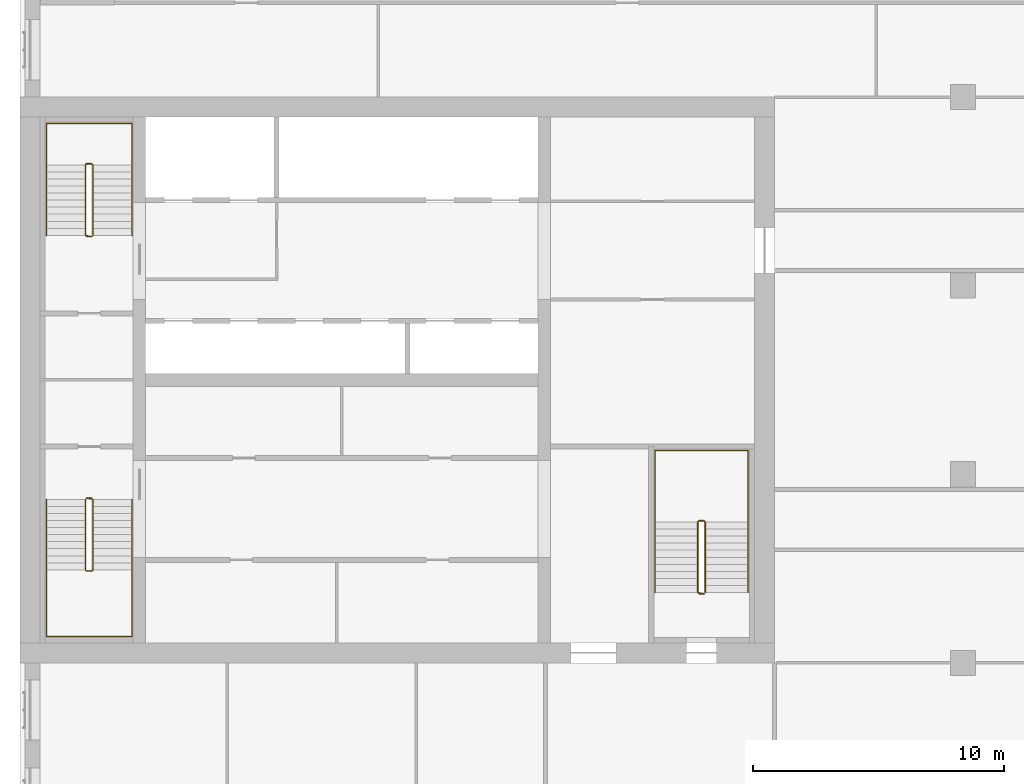
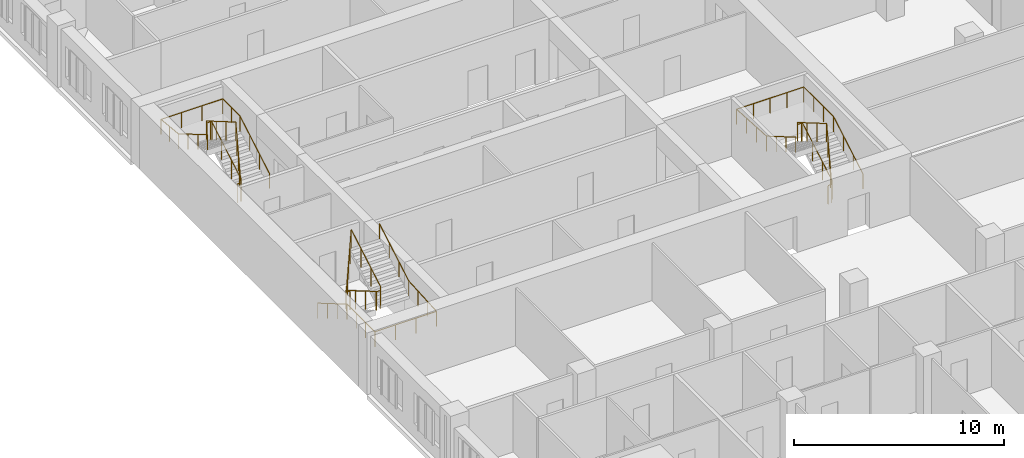
# One storey, part 13 of 13: 6 railings.
"""IFC4 building model written with IfcOpenShell, lengths in metres."""

from ifc_helpers import new_model, si_unit, direction, frame, origin, origin_2d, place, context, subcontext, project, spatial, circle, extrude, material, type_object, element, save


model = new_model("IFC4")

# Units and contexts
model_context = context("Model", 3, precision=1e-05, world=origin(), true_north=direction((0.0, 1.0)))
body_context = subcontext(model_context, "Body", "Model", "MODEL_VIEW")
ifc_project = project(units=[si_unit("LENGTHUNIT", "METRE"), si_unit("AREAUNIT", "SQUARE_METRE"), si_unit("VOLUMEUNIT", "CUBIC_METRE"), si_unit("PLANEANGLEUNIT", "RADIAN"), si_unit("MASSUNIT", "GRAM", prefix="KILO")], contexts=[model_context])

# Site, building, storey
site_placement = place(None, origin())
site = spatial("IfcSite", under=ifc_project, at=site_placement, CompositionType="ELEMENT")
building_placement = place(site_placement, origin())
building = spatial("IfcBuilding", under=site, at=building_placement, Name="Tamorin Gate", CompositionType="ELEMENT")
storey_placement = place(building_placement, frame((0.0, 0.0, 144.60009765625)))
storey = spatial("IfcBuildingStorey", under=building, at=storey_placement, Name="L35", CompositionType="ELEMENT", Elevation=144.60009765625)

# Railings
ifc_material_1 = material(Name="Painted steel balustrade", Category="steel")
railing_type_1 = type_object("IfcRailingType", Name="Stair guard 1100", PredefinedType="GUARDRAIL", material=ifc_material_1)
railing_1_placement = place(storey_placement, frame((32.60009765625, 66.5, 0.16357421875)))
element("IfcRailing", 1, at=railing_1_placement, inside=storey, type_object=railing_type_1, Name="L35 ST1 stair guard 1", PredefinedType="GUARDRAIL", context=body_context, shape_type="SweptSolid", body=[
    extrude(circle(Radius=0.02392578125, at=origin_2d()), frame((0.0, 0.0, 1.076171875), z_axis=(0.0, -0.863393664356, 0.504530851732), x_axis=(1.0, 0.0, 0.0)), (0.0, 0.0, 1.0), 3.2431640625),
    extrude(circle(Radius=0.02392578125, at=origin_2d()), frame((0.0, -2.800048828125, 2.71240234375), z_axis=(0.705375805398, -0.708833529934, 0.0), x_axis=(0.708833529934, 0.705375805398, 0.0)), (0.0, 0.0, 1.0), 0.070556640625),
    extrude(circle(Radius=0.02392578125, at=origin_2d()), frame((0.0498046875, -2.85009765625, 2.71240234375), z_axis=(1.0, 0.0, 0.0), x_axis=(0.0, 1.0, 0.0)), (0.0, 0.0, 1.0), 0.2001953125),
    extrude(circle(Radius=0.02392578125, at=origin_2d()), frame((0.25, -2.85009765625, 2.71240234375), z_axis=(0.279194930351, 0.280563532951, 0.91833234444), x_axis=(-0.708833529934, 0.705375805398, 0.0)), (0.0, 0.0, 1.0), 0.178466796875),
    extrude(circle(Radius=0.02392578125, at=origin_2d()), frame((0.2998046875, -2.800048828125, 2.8759765625), z_axis=(0.0, 0.863393664356, 0.504530851732), x_axis=(-1.0, 0.0, 0.0)), (0.0, 0.0, 1.0), 3.2431640625),
    extrude(circle(Radius=0.02392578125, at=origin_2d()), frame((0.2998046875, 0.0, 4.51220703125), z_axis=(-0.069273741535, 0.013868278335, -0.997501288014), x_axis=(-0.196300278283, -0.98054382908, 0.0)), (0.0, 0.0, 1.0), 3.60888671875),
    extrude(circle(Radius=0.02392578125, at=origin_2d()), frame((0.0498046875, 0.050048828125, 0.91259765625), z_axis=(1.0, 0.0, 0.0), x_axis=(0.0, 1.0, 0.0)), (0.0, 0.0, 1.0), 0.2001953125),
    extrude(circle(Radius=0.02099609375, at=origin_2d()), origin(), (0.0, 0.0, 1.0), 1.052001953125),
    extrude(circle(Radius=0.02099609375, at=origin_2d()), frame((0.0, -0.933349609375, 0.54541015625)), (0.0, 0.0, 1.0), 1.052001953125),
    extrude(circle(Radius=0.02099609375, at=origin_2d()), frame((0.0, -1.86669921875, 1.0908203125)), (0.0, 0.0, 1.0), 1.052001953125),
    extrude(circle(Radius=0.02099609375, at=origin_2d()), frame((0.0, -2.800048828125, 1.63623046875)), (0.0, 0.0, 1.0), 1.052001953125),
    extrude(circle(Radius=0.02099609375, at=origin_2d()), frame((0.0498046875, -2.85009765625, 1.63623046875)), (0.0, 0.0, 1.0), 1.052001953125),
    extrude(circle(Radius=0.02099609375, at=origin_2d()), frame((0.25, -2.85009765625, 1.63623046875)), (0.0, 0.0, 1.0), 1.052001953125),
    extrude(circle(Radius=0.02099609375, at=origin_2d()), frame((0.2998046875, -2.800048828125, 1.800048828125)), (0.0, 0.0, 1.0), 1.052001953125),
    extrude(circle(Radius=0.02099609375, at=origin_2d()), frame((0.2998046875, -1.86669921875, 2.345458984375)), (0.0, 0.0, 1.0), 1.052001953125),
    extrude(circle(Radius=0.02099609375, at=origin_2d()), frame((0.2998046875, -0.933349609375, 2.890869140625)), (0.0, 0.0, 1.0), 1.052001953125),
    extrude(circle(Radius=0.02099609375, at=origin_2d()), frame((0.2998046875, 0.0, 3.436279296875)), (0.0, 0.0, 1.0), 1.052001953125),
    extrude(circle(Radius=0.02099609375, at=origin_2d()), frame((0.2373046875, 0.012451171875, 2.536376953125)), (0.0, 0.0, 1.0), 1.052001953125),
    extrude(circle(Radius=0.02099609375, at=origin_2d()), frame((0.1748046875, 0.02490234375, 1.63623046875)), (0.0, 0.0, 1.0), 1.052001953125),
    extrude(circle(Radius=0.02099609375, at=origin_2d()), frame((0.1123046875, 0.03759765625, 0.736328125)), (0.0, 0.0, 1.0), 1.052001953125),
    extrude(circle(Radius=0.02099609375, at=origin_2d()), frame((0.0498046875, 0.050048828125, -0.16357421875)), (0.0, 0.0, 1.0), 1.052001953125),
    extrude(circle(Radius=0.02099609375, at=origin_2d()), frame((0.25, 0.050048828125, -0.16357421875)), (0.0, 0.0, 1.0), 1.052001953125),
])
railing_2_placement = place(storey_placement, frame((32.89990234375, 77.0, 0.16357421875)))
element("IfcRailing", 2, at=railing_2_placement, inside=storey, type_object=railing_type_1, Name="L35 ST2 stair guard 1", PredefinedType="GUARDRAIL", context=body_context, shape_type="SweptSolid", body=[
    extrude(circle(Radius=0.02392578125, at=origin_2d()), frame((0.0, 0.0, 1.076171875), z_axis=(0.0, 0.863393664356, 0.504530851732), x_axis=(-1.0, 0.0, 0.0)), (0.0, 0.0, 1.0), 3.2431640625),
    extrude(circle(Radius=0.02392578125, at=origin_2d()), frame((0.0, 2.800048828125, 2.71240234375), z_axis=(-0.705375805398, 0.708833529934, 0.0), x_axis=(-0.708833529934, -0.705375805398, 0.0)), (0.0, 0.0, 1.0), 0.070556640625),
    extrude(circle(Radius=0.02392578125, at=origin_2d()), frame((-0.0498046875, 2.85009765625, 2.71240234375), z_axis=(-1.0, 0.0, 0.0), x_axis=(0.0, -1.0, 0.0)), (0.0, 0.0, 1.0), 0.2001953125),
    extrude(circle(Radius=0.02392578125, at=origin_2d()), frame((-0.25, 2.85009765625, 2.71240234375), z_axis=(-0.279194930351, -0.280563532951, 0.91833234444), x_axis=(0.708833529934, -0.705375805398, 0.0)), (0.0, 0.0, 1.0), 0.178466796875),
    extrude(circle(Radius=0.02392578125, at=origin_2d()), frame((-0.2998046875, 2.800048828125, 2.8759765625), z_axis=(0.0, -0.863393664356, 0.504530851732), x_axis=(1.0, 0.0, 0.0)), (0.0, 0.0, 1.0), 3.2431640625),
    extrude(circle(Radius=0.02392578125, at=origin_2d()), frame((-0.2998046875, 0.0, 4.51220703125), z_axis=(0.069273741535, -0.013868278335, -0.997501288014), x_axis=(0.196300278283, 0.98054382908, 0.0)), (0.0, 0.0, 1.0), 3.60888671875),
    extrude(circle(Radius=0.02392578125, at=origin_2d()), frame((-0.0498046875, -0.050048828125, 0.91259765625), z_axis=(-1.0, 0.0, 0.0), x_axis=(0.0, -1.0, 0.0)), (0.0, 0.0, 1.0), 0.2001953125),
    extrude(circle(Radius=0.02099609375, at=origin_2d()), origin(), (0.0, 0.0, 1.0), 1.052001953125),
    extrude(circle(Radius=0.02099609375, at=origin_2d()), frame((0.0, 0.933349609375, 0.54541015625)), (0.0, 0.0, 1.0), 1.052001953125),
    extrude(circle(Radius=0.02099609375, at=origin_2d()), frame((0.0, 1.86669921875, 1.0908203125)), (0.0, 0.0, 1.0), 1.052001953125),
    extrude(circle(Radius=0.02099609375, at=origin_2d()), frame((0.0, 2.800048828125, 1.63623046875)), (0.0, 0.0, 1.0), 1.052001953125),
    extrude(circle(Radius=0.02099609375, at=origin_2d()), frame((-0.0498046875, 2.85009765625, 1.63623046875)), (0.0, 0.0, 1.0), 1.052001953125),
    extrude(circle(Radius=0.02099609375, at=origin_2d()), frame((-0.25, 2.85009765625, 1.63623046875)), (0.0, 0.0, 1.0), 1.052001953125),
    extrude(circle(Radius=0.02099609375, at=origin_2d()), frame((-0.2998046875, 2.800048828125, 1.800048828125)), (0.0, 0.0, 1.0), 1.052001953125),
    extrude(circle(Radius=0.02099609375, at=origin_2d()), frame((-0.2998046875, 1.86669921875, 2.345458984375)), (0.0, 0.0, 1.0), 1.052001953125),
    extrude(circle(Radius=0.02099609375, at=origin_2d()), frame((-0.2998046875, 0.933349609375, 2.890869140625)), (0.0, 0.0, 1.0), 1.052001953125),
    extrude(circle(Radius=0.02099609375, at=origin_2d()), frame((-0.2998046875, 0.0, 3.436279296875)), (0.0, 0.0, 1.0), 1.052001953125),
    extrude(circle(Radius=0.02099609375, at=origin_2d()), frame((-0.2373046875, -0.012451171875, 2.536376953125)), (0.0, 0.0, 1.0), 1.052001953125),
    extrude(circle(Radius=0.02099609375, at=origin_2d()), frame((-0.1748046875, -0.02490234375, 1.63623046875)), (0.0, 0.0, 1.0), 1.052001953125),
    extrude(circle(Radius=0.02099609375, at=origin_2d()), frame((-0.1123046875, -0.03759765625, 0.736328125)), (0.0, 0.0, 1.0), 1.052001953125),
    extrude(circle(Radius=0.02099609375, at=origin_2d()), frame((-0.0498046875, -0.050048828125, -0.16357421875)), (0.0, 0.0, 1.0), 1.052001953125),
    extrude(circle(Radius=0.02099609375, at=origin_2d()), frame((-0.25, -0.050048828125, -0.16357421875)), (0.0, 0.0, 1.0), 1.052001953125),
])
railing_3_placement = place(storey_placement, frame((57.25, 62.800048828125, 0.16357421875)))
element("IfcRailing", 3, at=railing_3_placement, inside=storey, type_object=railing_type_1, Name="L35 ST3 stair guard 1", PredefinedType="GUARDRAIL", context=body_context, shape_type="SweptSolid", body=[
    extrude(circle(Radius=0.02392578125, at=origin_2d()), frame((0.0, 0.0, 1.076171875), z_axis=(0.0, 0.863393664356, 0.504530851732), x_axis=(-1.0, 0.0, 0.0)), (0.0, 0.0, 1.0), 3.2431640625),
    extrude(circle(Radius=0.02392578125, at=origin_2d()), frame((0.0, 2.800048828125, 2.71240234375), z_axis=(-0.708833529934, 0.705375805398, 0.0), x_axis=(-0.705375805398, -0.708833529934, 0.0)), (0.0, 0.0, 1.0), 0.070556640625),
    extrude(circle(Radius=0.02392578125, at=origin_2d()), frame((-0.050048828125, 2.849853515625, 2.71240234375), z_axis=(-1.0, 0.0, 0.0), x_axis=(0.0, -1.0, 0.0)), (0.0, 0.0, 1.0), 0.199951171875),
    extrude(circle(Radius=0.02392578125, at=origin_2d()), frame((-0.25, 2.849853515625, 2.71240234375), z_axis=(-0.280563532951, -0.279194930351, 0.91833234444), x_axis=(0.705375805398, -0.708833529934, 0.0)), (0.0, 0.0, 1.0), 0.178466796875),
    extrude(circle(Radius=0.02392578125, at=origin_2d()), frame((-0.300048828125, 2.800048828125, 2.8759765625), z_axis=(0.0, -0.863393664356, 0.504530851732), x_axis=(1.0, 0.0, 0.0)), (0.0, 0.0, 1.0), 3.2431640625),
    extrude(circle(Radius=0.02392578125, at=origin_2d()), frame((-0.300048828125, 0.0, 4.51220703125), z_axis=(0.069273741535, -0.013868278335, -0.997501288014), x_axis=(0.196300278283, 0.98054382908, 0.0)), (0.0, 0.0, 1.0), 3.60888671875),
    extrude(circle(Radius=0.02392578125, at=origin_2d()), frame((-0.050048828125, -0.050048828125, 0.91259765625), z_axis=(-1.0, 0.0, 0.0), x_axis=(0.0, -1.0, 0.0)), (0.0, 0.0, 1.0), 0.199951171875),
    extrude(circle(Radius=0.02099609375, at=origin_2d()), origin(), (0.0, 0.0, 1.0), 1.052001953125),
    extrude(circle(Radius=0.02099609375, at=origin_2d()), frame((0.0, 0.933349609375, 0.54541015625)), (0.0, 0.0, 1.0), 1.052001953125),
    extrude(circle(Radius=0.02099609375, at=origin_2d()), frame((0.0, 1.86669921875, 1.0908203125)), (0.0, 0.0, 1.0), 1.052001953125),
    extrude(circle(Radius=0.02099609375, at=origin_2d()), frame((0.0, 2.800048828125, 1.63623046875)), (0.0, 0.0, 1.0), 1.052001953125),
    extrude(circle(Radius=0.02099609375, at=origin_2d()), frame((-0.050048828125, 2.849853515625, 1.63623046875)), (0.0, 0.0, 1.0), 1.052001953125),
    extrude(circle(Radius=0.02099609375, at=origin_2d()), frame((-0.25, 2.849853515625, 1.63623046875)), (0.0, 0.0, 1.0), 1.052001953125),
    extrude(circle(Radius=0.02099609375, at=origin_2d()), frame((-0.300048828125, 2.800048828125, 1.800048828125)), (0.0, 0.0, 1.0), 1.052001953125),
    extrude(circle(Radius=0.02099609375, at=origin_2d()), frame((-0.300048828125, 1.86669921875, 2.345458984375)), (0.0, 0.0, 1.0), 1.052001953125),
    extrude(circle(Radius=0.02099609375, at=origin_2d()), frame((-0.300048828125, 0.933349609375, 2.890869140625)), (0.0, 0.0, 1.0), 1.052001953125),
    extrude(circle(Radius=0.02099609375, at=origin_2d()), frame((-0.300048828125, 0.0, 3.436279296875)), (0.0, 0.0, 1.0), 1.052001953125),
    extrude(circle(Radius=0.02099609375, at=origin_2d()), frame((-0.237548828125, -0.012451171875, 2.536376953125)), (0.0, 0.0, 1.0), 1.052001953125),
    extrude(circle(Radius=0.02099609375, at=origin_2d()), frame((-0.175048828125, -0.02490234375, 1.63623046875)), (0.0, 0.0, 1.0), 1.052001953125),
    extrude(circle(Radius=0.02099609375, at=origin_2d()), frame((-0.112548828125, -0.03759765625, 0.736328125)), (0.0, 0.0, 1.0), 1.052001953125),
    extrude(circle(Radius=0.02099609375, at=origin_2d()), frame((-0.050048828125, -0.050048828125, -0.16357421875)), (0.0, 0.0, 1.0), 1.052001953125),
    extrude(circle(Radius=0.02099609375, at=origin_2d()), frame((-0.25, -0.050048828125, -0.16357421875)), (0.0, 0.0, 1.0), 1.052001953125),
])
ifc_material_2 = material(Name="Painted steel handrail", Category="steel")
railing_type_2 = type_object("IfcRailingType", Name="Stair handrail 900", PredefinedType="HANDRAIL", material=ifc_material_2)
railing_4_placement = place(storey_placement, frame((31.050048828125, 66.5, 0.16357421875)))
element("IfcRailing", 4, at=railing_4_placement, inside=storey, type_object=railing_type_2, Name="L35 ST1 stair handrail 1", PredefinedType="HANDRAIL", context=body_context, shape_type="SweptSolid", body=[
    extrude(circle(Radius=0.02392578125, at=origin_2d()), frame((0.0, 0.0, 0.8759765625), z_axis=(0.0, -0.863393664356, 0.504530851732), x_axis=(1.0, 0.0, 0.0)), (0.0, 0.0, 1.0), 3.2431640625),
    extrude(circle(Radius=0.02392578125, at=origin_2d()), frame((0.0, -2.800048828125, 2.51220703125), z_axis=(0.0, -1.0, 0.0), x_axis=(1.0, 0.0, 0.0)), (0.0, 0.0, 1.0), 2.64990234375),
    extrude(circle(Radius=0.02392578125, at=origin_2d()), frame((0.0, -5.449951171875, 2.51220703125), z_axis=(1.0, 0.0, 0.0), x_axis=(0.0, 1.0, 0.0)), (0.0, 0.0, 1.0), 3.39990234375),
    extrude(circle(Radius=0.02392578125, at=origin_2d()), frame((3.39990234375, -5.449951171875, 2.51220703125), z_axis=(0.0, 0.998094571079, 0.061702732375), x_axis=(-1.0, 0.0, 0.0)), (0.0, 0.0, 1.0), 2.655029296875),
    extrude(circle(Radius=0.02392578125, at=origin_2d()), frame((3.39990234375, -2.800048828125, 2.67578125), z_axis=(0.0, 0.863393664356, 0.504530851732), x_axis=(-1.0, 0.0, 0.0)), (0.0, 0.0, 1.0), 3.2431640625),
    extrude(circle(Radius=0.02099609375, at=origin_2d()), origin(), (0.0, 0.0, 1.0), 0.851806640625),
    extrude(circle(Radius=0.02099609375, at=origin_2d()), frame((0.0, -0.933349609375, 0.54541015625)), (0.0, 0.0, 1.0), 0.851806640625),
    extrude(circle(Radius=0.02099609375, at=origin_2d()), frame((0.0, -1.86669921875, 1.0908203125)), (0.0, 0.0, 1.0), 0.851806640625),
    extrude(circle(Radius=0.02099609375, at=origin_2d()), frame((0.0, -2.800048828125, 1.63623046875)), (0.0, 0.0, 1.0), 0.851806640625),
    extrude(circle(Radius=0.02099609375, at=origin_2d()), frame((0.0, -3.683349609375, 1.63623046875)), (0.0, 0.0, 1.0), 0.851806640625),
    extrude(circle(Radius=0.02099609375, at=origin_2d()), frame((0.0, -4.566650390625, 1.63623046875)), (0.0, 0.0, 1.0), 0.851806640625),
    extrude(circle(Radius=0.02099609375, at=origin_2d()), frame((0.0, -5.449951171875, 1.63623046875)), (0.0, 0.0, 1.0), 0.851806640625),
    extrude(circle(Radius=0.02099609375, at=origin_2d()), frame((1.13330078125, -5.449951171875, 1.63623046875)), (0.0, 0.0, 1.0), 0.851806640625),
    extrude(circle(Radius=0.02099609375, at=origin_2d()), frame((2.2666015625, -5.449951171875, 1.63623046875)), (0.0, 0.0, 1.0), 0.851806640625),
    extrude(circle(Radius=0.02099609375, at=origin_2d()), frame((3.39990234375, -5.449951171875, 1.63623046875)), (0.0, 0.0, 1.0), 0.851806640625),
    extrude(circle(Radius=0.02099609375, at=origin_2d()), frame((3.39990234375, -4.566650390625, 1.69091796875)), (0.0, 0.0, 1.0), 0.851806640625),
    extrude(circle(Radius=0.02099609375, at=origin_2d()), frame((3.39990234375, -3.683349609375, 1.745361328125)), (0.0, 0.0, 1.0), 0.851806640625),
    extrude(circle(Radius=0.02099609375, at=origin_2d()), frame((3.39990234375, -2.800048828125, 1.800048828125)), (0.0, 0.0, 1.0), 0.851806640625),
    extrude(circle(Radius=0.02099609375, at=origin_2d()), frame((3.39990234375, -1.86669921875, 2.345458984375)), (0.0, 0.0, 1.0), 0.851806640625),
    extrude(circle(Radius=0.02099609375, at=origin_2d()), frame((3.39990234375, -0.933349609375, 2.890869140625)), (0.0, 0.0, 1.0), 0.851806640625),
    extrude(circle(Radius=0.02099609375, at=origin_2d()), frame((3.39990234375, 0.0, 3.436279296875)), (0.0, 0.0, 1.0), 0.851806640625),
])
railing_5_placement = place(storey_placement, frame((34.449951171875, 77.0, 0.16357421875)))
element("IfcRailing", 5, at=railing_5_placement, inside=storey, type_object=railing_type_2, Name="L35 ST2 stair handrail 1", PredefinedType="HANDRAIL", context=body_context, shape_type="SweptSolid", body=[
    extrude(circle(Radius=0.02392578125, at=origin_2d()), frame((0.0, 0.0, 0.8759765625), z_axis=(0.0, 0.863393664356, 0.504530851732), x_axis=(-1.0, 0.0, 0.0)), (0.0, 0.0, 1.0), 3.2431640625),
    extrude(circle(Radius=0.02392578125, at=origin_2d()), frame((0.0, 2.800048828125, 2.51220703125), z_axis=(0.0, 1.0, 0.0), x_axis=(-1.0, 0.0, 0.0)), (0.0, 0.0, 1.0), 1.64990234375),
    extrude(circle(Radius=0.02392578125, at=origin_2d()), frame((0.0, 4.449951171875, 2.51220703125), z_axis=(-1.0, 0.0, 0.0), x_axis=(0.0, -1.0, 0.0)), (0.0, 0.0, 1.0), 3.39990234375),
    extrude(circle(Radius=0.02392578125, at=origin_2d()), frame((-3.39990234375, 4.449951171875, 2.51220703125), z_axis=(0.0, -0.995106923726, 0.098803898464), x_axis=(1.0, 0.0, 0.0)), (0.0, 0.0, 1.0), 1.657958984375),
    extrude(circle(Radius=0.02392578125, at=origin_2d()), frame((-3.39990234375, 2.800048828125, 2.67578125), z_axis=(0.0, -0.863393664356, 0.504530851732), x_axis=(1.0, 0.0, 0.0)), (0.0, 0.0, 1.0), 3.2431640625),
    extrude(circle(Radius=0.02099609375, at=origin_2d()), origin(), (0.0, 0.0, 1.0), 0.851806640625),
    extrude(circle(Radius=0.02099609375, at=origin_2d()), frame((0.0, 0.933349609375, 0.54541015625)), (0.0, 0.0, 1.0), 0.851806640625),
    extrude(circle(Radius=0.02099609375, at=origin_2d()), frame((0.0, 1.86669921875, 1.0908203125)), (0.0, 0.0, 1.0), 0.851806640625),
    extrude(circle(Radius=0.02099609375, at=origin_2d()), frame((0.0, 2.800048828125, 1.63623046875)), (0.0, 0.0, 1.0), 0.851806640625),
    extrude(circle(Radius=0.02099609375, at=origin_2d()), frame((0.0, 3.625, 1.63623046875)), (0.0, 0.0, 1.0), 0.851806640625),
    extrude(circle(Radius=0.02099609375, at=origin_2d()), frame((0.0, 4.449951171875, 1.63623046875)), (0.0, 0.0, 1.0), 0.851806640625),
    extrude(circle(Radius=0.02099609375, at=origin_2d()), frame((-1.13330078125, 4.449951171875, 1.63623046875)), (0.0, 0.0, 1.0), 0.851806640625),
    extrude(circle(Radius=0.02099609375, at=origin_2d()), frame((-2.2666015625, 4.449951171875, 1.63623046875)), (0.0, 0.0, 1.0), 0.851806640625),
    extrude(circle(Radius=0.02099609375, at=origin_2d()), frame((-3.39990234375, 4.449951171875, 1.63623046875)), (0.0, 0.0, 1.0), 0.851806640625),
    extrude(circle(Radius=0.02099609375, at=origin_2d()), frame((-3.39990234375, 3.625, 1.71826171875)), (0.0, 0.0, 1.0), 0.851806640625),
    extrude(circle(Radius=0.02099609375, at=origin_2d()), frame((-3.39990234375, 2.800048828125, 1.800048828125)), (0.0, 0.0, 1.0), 0.851806640625),
    extrude(circle(Radius=0.02099609375, at=origin_2d()), frame((-3.39990234375, 1.86669921875, 2.345458984375)), (0.0, 0.0, 1.0), 0.851806640625),
    extrude(circle(Radius=0.02099609375, at=origin_2d()), frame((-3.39990234375, 0.933349609375, 2.890869140625)), (0.0, 0.0, 1.0), 0.851806640625),
    extrude(circle(Radius=0.02099609375, at=origin_2d()), frame((-3.39990234375, 0.0, 3.436279296875)), (0.0, 0.0, 1.0), 0.851806640625),
])
railing_6_placement = place(storey_placement, frame((58.949951171875, 62.800048828125, 0.16357421875)))
element("IfcRailing", 6, at=railing_6_placement, inside=storey, type_object=railing_type_2, Name="L35 ST3 stair handrail 1", PredefinedType="HANDRAIL", context=body_context, shape_type="SweptSolid", body=[
    extrude(circle(Radius=0.02392578125, at=origin_2d()), frame((0.0, 0.0, 0.8759765625), z_axis=(0.0, 0.863393664356, 0.504530851732), x_axis=(-1.0, 0.0, 0.0)), (0.0, 0.0, 1.0), 3.2431640625),
    extrude(circle(Radius=0.02392578125, at=origin_2d()), frame((0.0, 2.800048828125, 2.51220703125), z_axis=(0.0, 1.0, 0.0), x_axis=(-1.0, 0.0, 0.0)), (0.0, 0.0, 1.0), 2.849853515625),
    extrude(circle(Radius=0.02392578125, at=origin_2d()), frame((0.0, 5.64990234375, 2.51220703125), z_axis=(-1.0, 0.0, 0.0), x_axis=(0.0, -1.0, 0.0)), (0.0, 0.0, 1.0), 3.699951171875),
    extrude(circle(Radius=0.02392578125, at=origin_2d()), frame((-3.699951171875, 5.64990234375, 2.51220703125), z_axis=(0.0, -0.998351930891, 0.057388344524), x_axis=(1.0, 0.0, 0.0)), (0.0, 0.0, 1.0), 2.8544921875),
    extrude(circle(Radius=0.02392578125, at=origin_2d()), frame((-3.699951171875, 2.800048828125, 2.67578125), z_axis=(0.0, -0.863393664356, 0.504530851732), x_axis=(1.0, 0.0, 0.0)), (0.0, 0.0, 1.0), 3.2431640625),
    extrude(circle(Radius=0.02099609375, at=origin_2d()), origin(), (0.0, 0.0, 1.0), 0.851806640625),
    extrude(circle(Radius=0.02099609375, at=origin_2d()), frame((0.0, 0.933349609375, 0.54541015625)), (0.0, 0.0, 1.0), 0.851806640625),
    extrude(circle(Radius=0.02099609375, at=origin_2d()), frame((0.0, 1.86669921875, 1.0908203125)), (0.0, 0.0, 1.0), 0.851806640625),
    extrude(circle(Radius=0.02099609375, at=origin_2d()), frame((0.0, 2.800048828125, 1.63623046875)), (0.0, 0.0, 1.0), 0.851806640625),
    extrude(circle(Radius=0.02099609375, at=origin_2d()), frame((0.0, 3.75, 1.63623046875)), (0.0, 0.0, 1.0), 0.851806640625),
    extrude(circle(Radius=0.02099609375, at=origin_2d()), frame((0.0, 4.699951171875, 1.63623046875)), (0.0, 0.0, 1.0), 0.851806640625),
    extrude(circle(Radius=0.02099609375, at=origin_2d()), frame((0.0, 5.64990234375, 1.63623046875)), (0.0, 0.0, 1.0), 0.851806640625),
    extrude(circle(Radius=0.02099609375, at=origin_2d()), frame((-0.925048828125, 5.64990234375, 1.63623046875)), (0.0, 0.0, 1.0), 0.851806640625),
    extrude(circle(Radius=0.02099609375, at=origin_2d()), frame((-1.85009765625, 5.64990234375, 1.63623046875)), (0.0, 0.0, 1.0), 0.851806640625),
    extrude(circle(Radius=0.02099609375, at=origin_2d()), frame((-2.77490234375, 5.64990234375, 1.63623046875)), (0.0, 0.0, 1.0), 0.851806640625),
    extrude(circle(Radius=0.02099609375, at=origin_2d()), frame((-3.699951171875, 5.64990234375, 1.63623046875)), (0.0, 0.0, 1.0), 0.851806640625),
    extrude(circle(Radius=0.02099609375, at=origin_2d()), frame((-3.699951171875, 4.699951171875, 1.69091796875)), (0.0, 0.0, 1.0), 0.851806640625),
    extrude(circle(Radius=0.02099609375, at=origin_2d()), frame((-3.699951171875, 3.75, 1.745361328125)), (0.0, 0.0, 1.0), 0.851806640625),
    extrude(circle(Radius=0.02099609375, at=origin_2d()), frame((-3.699951171875, 2.800048828125, 1.800048828125)), (0.0, 0.0, 1.0), 0.851806640625),
    extrude(circle(Radius=0.02099609375, at=origin_2d()), frame((-3.699951171875, 1.86669921875, 2.345458984375)), (0.0, 0.0, 1.0), 0.851806640625),
    extrude(circle(Radius=0.02099609375, at=origin_2d()), frame((-3.699951171875, 0.933349609375, 2.890869140625)), (0.0, 0.0, 1.0), 0.851806640625),
    extrude(circle(Radius=0.02099609375, at=origin_2d()), frame((-3.699951171875, 0.0, 3.436279296875)), (0.0, 0.0, 1.0), 0.851806640625),
])

save(model, "model.ifc")
